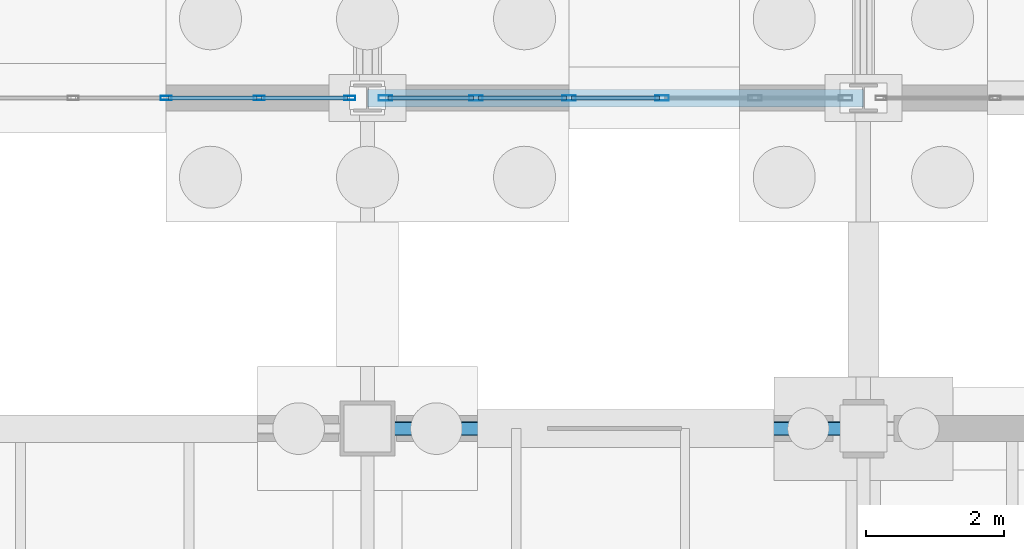
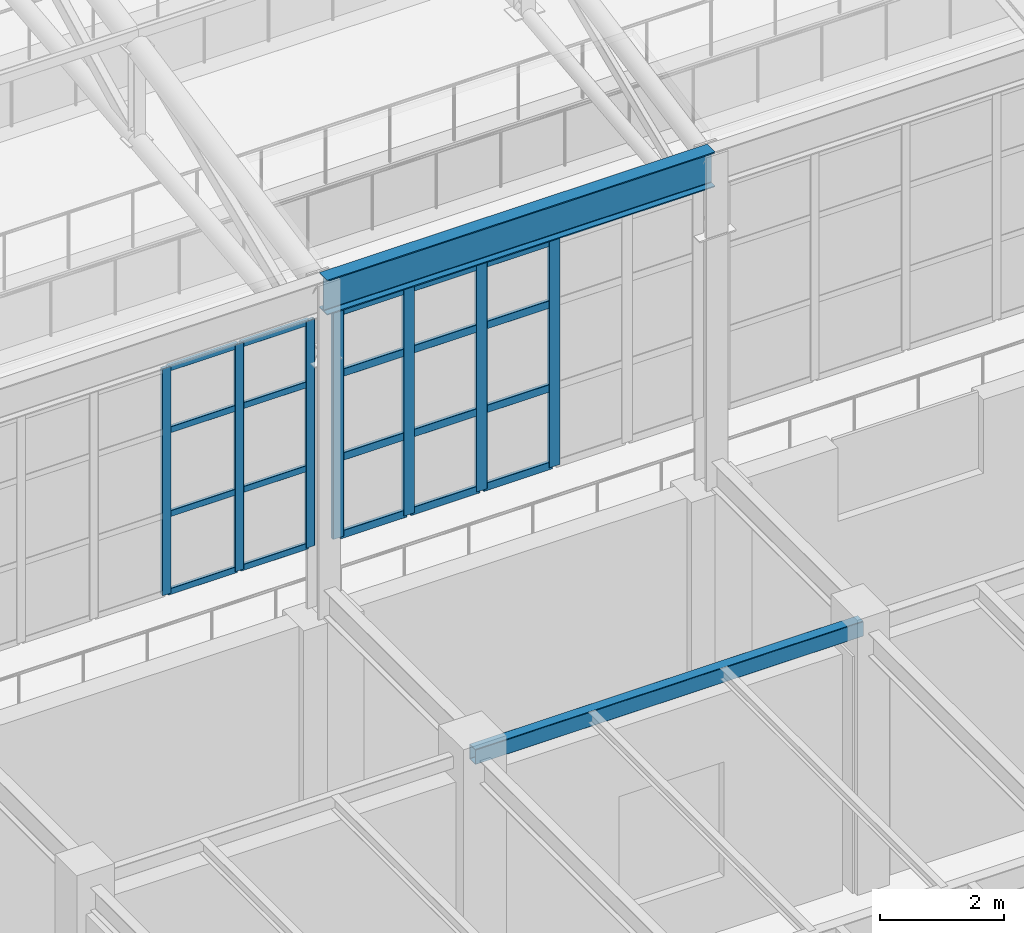
# One storey, part 137 of 293: 27 members, 2 beams, 2 elements without a shape of their own.
"""IFC4 building model written with IfcOpenShell, lengths in metres."""

from ifc_helpers import new_model, si_unit, direction, frame, origin, origin_2d, place, context, subcontext, project, spatial, hollow_rectangle, i_section, extrude, material, layer, layer_set, material_profile, profile_set, type_object, element, aggregate, save


model = new_model("IFC4")

# Units and contexts
model_context = context("Model", 3, precision=1e-05, world=origin(), true_north=direction((0.0, 1.0)))
body_context = subcontext(model_context, "Body", "Model", "MODEL_VIEW")
ifc_project = project(units=[si_unit("LENGTHUNIT", "METRE"), si_unit("AREAUNIT", "SQUARE_METRE"), si_unit("VOLUMEUNIT", "CUBIC_METRE"), si_unit("PLANEANGLEUNIT", "RADIAN"), si_unit("MASSUNIT", "GRAM", prefix="KILO")], contexts=[model_context])

# Site, building, storey
site_placement = place(None, origin())
site = spatial("IfcSite", under=ifc_project, at=site_placement, CompositionType="ELEMENT")
building_placement = place(site_placement, origin())
building = spatial("IfcBuilding", under=site, at=building_placement, Name="Kemerveld Promenade Tramway Depot", CompositionType="ELEMENT")
storey_placement = place(building_placement, origin())
storey = spatial("IfcBuildingStorey", under=building, at=storey_placement, Name="L00", CompositionType="ELEMENT", Elevation=0.0)

# Beams
ifc_material_1 = material(Name="Steel S355", Category="steel")
ifc_material_profile_1 = material_profile(ifc_material_1, i_section(OverallWidth=0.25439453125, OverallDepth=0.6875, WebThickness=0.01318359375, FlangeThickness=0.02099609375, FilletRadius=0.01513671875, at=origin_2d()), Name="686x254x152 UB")
ifc_profile_set_1 = profile_set([ifc_material_profile_1], Name="Steel S355")
beam_type_1 = type_object("IfcBeamType", Name="BM-G03", PredefinedType="BEAM", material=ifc_profile_set_1)
beam_1_placement = place(storey_placement, frame((122.39990234375, 84.0, 11.056396484375), z_axis=(1.0, 0.0, 0.0), x_axis=(0.0, 1.0, 0.0)))
element("IfcBeam", 1, at=beam_1_placement, inside=storey, type_object=beam_type_1, Name="BM-SHED-EAVE-N-18", PredefinedType="BEAM", context=body_context, shape_type="SweptSolid", body=[
    extrude(i_section(OverallWidth=0.25439453125, OverallDepth=0.6875, WebThickness=0.01318359375, FlangeThickness=0.02099609375, FilletRadius=0.01513671875, at=origin_2d()), origin(), (0.0, 0.0, 1.0), 7.2001953125),
])
ifc_material_profile_2 = material_profile(ifc_material_1, hollow_rectangle(XDim=0.199951171875, YDim=0.300048828125, WallThickness=0.012451171875, InnerFilletRadius=0.00634765625, OuterFilletRadius=0.018798828125, at=origin_2d()), Name="300x200x12.5 RHS")
ifc_profile_set_2 = profile_set([ifc_material_profile_2], Name="Steel S355")
beam_type_2 = type_object("IfcBeamType", Name="BM-G18", PredefinedType="BEAM", material=ifc_profile_set_2)
beam_2_placement = place(storey_placement, frame((122.39990234375, 79.199951171875, 4.929931640625), z_axis=(1.0, 0.0, 0.0), x_axis=(0.0, 1.0, 0.0)))
element("IfcBeam", 2, at=beam_2_placement, inside=storey, type_object=beam_type_2, Name="BMX-L00-18-19-M", PredefinedType="BEAM", context=body_context, shape_type="SweptSolid", body=[
    extrude(hollow_rectangle(XDim=0.199951171875, YDim=0.300048828125, WallThickness=0.012451171875, InnerFilletRadius=0.00634765625, OuterFilletRadius=0.018798828125, at=origin_2d()), origin(), (0.0, 0.0, 1.0), 7.2001953125),
])

# Curtain wall, members
ifc_material_2 = material(Name="Bronze anodised aluminium and solar glass", Category="aluminium")
ifc_layer_1 = layer(ifc_material_2, 0.159912109375)
ifc_layer_set_1 = layer_set([ifc_layer_1], Name="CW-SYS-01")
curtain_wall_type_1 = type_object("IfcCurtainWallType", Name="CW-SYS-01", PredefinedType="USERDEFINED", material=ifc_layer_set_1)
curtain_wall_1_placement = place(storey_placement, origin())
curtain_wall_1 = element("IfcCurtainWall", 3, at=curtain_wall_1_placement, inside=storey, type_object=curtain_wall_type_1, Name="CW-V1-S-12", ObjectType="GLAZED_CURTAIN_WALL", PredefinedType="USERDEFINED")
ifc_material_3 = material(Name="Bronze anodised aluminium", Category="aluminium")
ifc_material_profile_3 = material_profile(ifc_material_3, hollow_rectangle(XDim=0.06494140625, YDim=0.159912109375, WallThickness=0.00390625, InnerFilletRadius=0.001953125, OuterFilletRadius=0.00390625, at=origin_2d()), Name="CW-MUL-160x65")
ifc_profile_set_3 = profile_set([ifc_material_profile_3], Name="Bronze anodised aluminium")
member_type_1 = type_object("IfcMemberType", Name="CW-MUL-A", PredefinedType="MULLION", material=ifc_profile_set_3)
member_1_placement = place(storey_placement, frame((122.144287109375, 84.0, 6.199951171875), z_axis=(0.0, 0.0, 1.0), x_axis=(0.0, -1.0, 0.0)))
member_1 = element("IfcMember", 4, at=member_1_placement, type_object=member_type_1, Name="CW01 mullion 1", PredefinedType="MULLION", context=body_context, shape_type="SweptSolid", body=[
    extrude(hollow_rectangle(XDim=0.06494140625, YDim=0.159912109375, WallThickness=0.00390625, InnerFilletRadius=0.001953125, OuterFilletRadius=0.00390625, at=origin_2d()), origin(), (0.0, 0.0, 1.0), 4.449951171875),
])
member_2_placement = place(storey_placement, frame((120.826171875, 84.0, 6.199951171875), z_axis=(0.0, 0.0, 1.0), x_axis=(0.0, -1.0, 0.0)))
member_2 = element("IfcMember", 5, at=member_2_placement, type_object=member_type_1, Name="CW01 mullion 2", PredefinedType="MULLION", context=body_context, shape_type="SweptSolid", body=[
    extrude(hollow_rectangle(XDim=0.06494140625, YDim=0.159912109375, WallThickness=0.00390625, InnerFilletRadius=0.001953125, OuterFilletRadius=0.00390625, at=origin_2d()), origin(), (0.0, 0.0, 1.0), 4.449951171875),
])
member_3_placement = place(storey_placement, frame((119.475341796875, 84.0, 6.199951171875), z_axis=(0.0, 0.0, 1.0), x_axis=(0.0, -1.0, 0.0)))
member_3 = element("IfcMember", 6, at=member_3_placement, type_object=member_type_1, Name="CW01 mullion 3", PredefinedType="MULLION", context=body_context, shape_type="SweptSolid", body=[
    extrude(hollow_rectangle(XDim=0.06494140625, YDim=0.159912109375, WallThickness=0.00390625, InnerFilletRadius=0.001953125, OuterFilletRadius=0.00390625, at=origin_2d()), origin(), (0.0, 0.0, 1.0), 4.449951171875),
])

ifc_layer_2 = layer(ifc_material_2, 0.199951171875)
ifc_layer_set_2 = layer_set([ifc_layer_2], Name="CW-SYS-02")
curtain_wall_type_2 = type_object("IfcCurtainWallType", Name="CW-SYS-02", PredefinedType="USERDEFINED", material=ifc_layer_set_2)
curtain_wall_2_placement = place(storey_placement, origin())
curtain_wall_2 = element("IfcCurtainWall", 7, at=curtain_wall_2_placement, inside=storey, type_object=curtain_wall_type_2, Name="CW-V1-S-13", ObjectType="GLAZED_CURTAIN_WALL", PredefinedType="USERDEFINED")
ifc_material_profile_4 = material_profile(ifc_material_3, hollow_rectangle(XDim=0.074951171875, YDim=0.199951171875, WallThickness=0.0048828125, InnerFilletRadius=0.001953125, OuterFilletRadius=0.0048828125, at=origin_2d()), Name="CW-MUL-200x75")
ifc_profile_set_4 = profile_set([ifc_material_profile_4], Name="Bronze anodised aluminium")
member_type_2 = type_object("IfcMemberType", Name="CW-MUL-B", PredefinedType="MULLION", material=ifc_profile_set_4)
member_4_placement = place(storey_placement, frame((126.67529296875, 84.0, 6.199951171875), z_axis=(0.0, 0.0, 1.0), x_axis=(0.0, -1.0, 0.0)))
member_4 = element("IfcMember", 8, at=member_4_placement, type_object=member_type_2, Name="CW02 mullion 3", PredefinedType="MULLION", context=body_context, shape_type="SweptSolid", body=[
    extrude(hollow_rectangle(XDim=0.074951171875, YDim=0.199951171875, WallThickness=0.0048828125, InnerFilletRadius=0.001953125, OuterFilletRadius=0.0048828125, at=origin_2d()), origin(), (0.0, 0.0, 1.0), 4.449951171875),
])
member_5_placement = place(storey_placement, frame((125.32470703125, 84.0, 6.199951171875), z_axis=(0.0, 0.0, 1.0), x_axis=(0.0, -1.0, 0.0)))
member_5 = element("IfcMember", 9, at=member_5_placement, type_object=member_type_2, Name="CW02 mullion 4", PredefinedType="MULLION", context=body_context, shape_type="SweptSolid", body=[
    extrude(hollow_rectangle(XDim=0.074951171875, YDim=0.199951171875, WallThickness=0.0048828125, InnerFilletRadius=0.001953125, OuterFilletRadius=0.0048828125, at=origin_2d()), origin(), (0.0, 0.0, 1.0), 4.449951171875),
])
member_6_placement = place(storey_placement, frame((123.973876953125, 84.0, 6.199951171875), z_axis=(0.0, 0.0, 1.0), x_axis=(0.0, -1.0, 0.0)))
member_6 = element("IfcMember", 10, at=member_6_placement, type_object=member_type_2, Name="CW02 mullion 5", PredefinedType="MULLION", context=body_context, shape_type="SweptSolid", body=[
    extrude(hollow_rectangle(XDim=0.074951171875, YDim=0.199951171875, WallThickness=0.0048828125, InnerFilletRadius=0.001953125, OuterFilletRadius=0.0048828125, at=origin_2d()), origin(), (0.0, 0.0, 1.0), 4.449951171875),
])
member_7_placement = place(storey_placement, frame((122.66064453125, 84.0, 6.199951171875), z_axis=(0.0, 0.0, 1.0), x_axis=(0.0, -1.0, 0.0)))
member_7 = element("IfcMember", 11, at=member_7_placement, type_object=member_type_2, Name="CW02 mullion 6", PredefinedType="MULLION", context=body_context, shape_type="SweptSolid", body=[
    extrude(hollow_rectangle(XDim=0.074951171875, YDim=0.199951171875, WallThickness=0.0048828125, InnerFilletRadius=0.001953125, OuterFilletRadius=0.0048828125, at=origin_2d()), origin(), (0.0, 0.0, 1.0), 4.449951171875),
])

# Member
ifc_material_profile_5 = material_profile(ifc_material_3, hollow_rectangle(XDim=0.06005859375, YDim=0.1201171875, WallThickness=0.00390625, InnerFilletRadius=0.001953125, OuterFilletRadius=0.00390625, at=origin_2d()), Name="CW-TRN-120x60")
ifc_profile_set_5 = profile_set([ifc_material_profile_5], Name="Bronze anodised aluminium")
member_type_3 = type_object("IfcMemberType", Name="CW-TRN-A", PredefinedType="USERDEFINED", material=ifc_profile_set_5)
member_8_placement = place(storey_placement, frame((122.11181640625, 84.0, 6.22998046875), z_axis=(-1.0, 0.0, 0.0), x_axis=(0.0, -1.0, 0.0)))
member_8 = element("IfcMember", 12, at=member_8_placement, type_object=member_type_3, Name="CW01 transom 1.1", ObjectType="TRANSOM", PredefinedType="USERDEFINED", context=body_context, shape_type="SweptSolid", body=[
    extrude(hollow_rectangle(XDim=0.06005859375, YDim=0.1201171875, WallThickness=0.00390625, InnerFilletRadius=0.001953125, OuterFilletRadius=0.00390625, at=origin_2d()), origin(), (0.0, 0.0, 1.0), 1.253173828125),
])

member_9_placement = place(storey_placement, frame((122.11181640625, 84.0, 7.758056640625), z_axis=(-1.0, 0.0, 0.0), x_axis=(0.0, -1.0, 0.0)))
member_9 = element("IfcMember", 13, at=member_9_placement, type_object=member_type_3, Name="CW01 transom 1.2", ObjectType="TRANSOM", PredefinedType="USERDEFINED", context=body_context, shape_type="SweptSolid", body=[
    extrude(hollow_rectangle(XDim=0.06005859375, YDim=0.1201171875, WallThickness=0.00390625, InnerFilletRadius=0.001953125, OuterFilletRadius=0.00390625, at=origin_2d()), origin(), (0.0, 0.0, 1.0), 1.253173828125),
])

member_10_placement = place(storey_placement, frame((122.11181640625, 84.0, 9.404052734375), z_axis=(-1.0, 0.0, 0.0), x_axis=(0.0, -1.0, 0.0)))
member_10 = element("IfcMember", 14, at=member_10_placement, type_object=member_type_3, Name="CW01 transom 1.3", ObjectType="TRANSOM", PredefinedType="USERDEFINED", context=body_context, shape_type="SweptSolid", body=[
    extrude(hollow_rectangle(XDim=0.06005859375, YDim=0.1201171875, WallThickness=0.00390625, InnerFilletRadius=0.001953125, OuterFilletRadius=0.00390625, at=origin_2d()), origin(), (0.0, 0.0, 1.0), 1.253173828125),
])

member_11_placement = place(storey_placement, frame((122.11181640625, 84.0, 10.6201171875), z_axis=(-1.0, 0.0, 0.0), x_axis=(0.0, -1.0, 0.0)))
member_11 = element("IfcMember", 15, at=member_11_placement, type_object=member_type_3, Name="CW01 transom 1.4", ObjectType="TRANSOM", PredefinedType="USERDEFINED", context=body_context, shape_type="SweptSolid", body=[
    extrude(hollow_rectangle(XDim=0.06005859375, YDim=0.1201171875, WallThickness=0.00390625, InnerFilletRadius=0.001953125, OuterFilletRadius=0.00390625, at=origin_2d()), origin(), (0.0, 0.0, 1.0), 1.253173828125),
])

member_12_placement = place(storey_placement, frame((120.793701171875, 84.0, 6.22998046875), z_axis=(-1.0, 0.0, 0.0), x_axis=(0.0, -1.0, 0.0)))
member_12 = element("IfcMember", 16, at=member_12_placement, type_object=member_type_3, Name="CW01 transom 2.1", ObjectType="TRANSOM", PredefinedType="USERDEFINED", context=body_context, shape_type="SweptSolid", body=[
    extrude(hollow_rectangle(XDim=0.06005859375, YDim=0.1201171875, WallThickness=0.00390625, InnerFilletRadius=0.001953125, OuterFilletRadius=0.00390625, at=origin_2d()), origin(), (0.0, 0.0, 1.0), 1.285888671875),
])

member_13_placement = place(storey_placement, frame((120.793701171875, 84.0, 7.758056640625), z_axis=(-1.0, 0.0, 0.0), x_axis=(0.0, -1.0, 0.0)))
member_13 = element("IfcMember", 17, at=member_13_placement, type_object=member_type_3, Name="CW01 transom 2.2", ObjectType="TRANSOM", PredefinedType="USERDEFINED", context=body_context, shape_type="SweptSolid", body=[
    extrude(hollow_rectangle(XDim=0.06005859375, YDim=0.1201171875, WallThickness=0.00390625, InnerFilletRadius=0.001953125, OuterFilletRadius=0.00390625, at=origin_2d()), origin(), (0.0, 0.0, 1.0), 1.285888671875),
])

member_14_placement = place(storey_placement, frame((120.793701171875, 84.0, 9.404052734375), z_axis=(-1.0, 0.0, 0.0), x_axis=(0.0, -1.0, 0.0)))
member_14 = element("IfcMember", 18, at=member_14_placement, type_object=member_type_3, Name="CW01 transom 2.3", ObjectType="TRANSOM", PredefinedType="USERDEFINED", context=body_context, shape_type="SweptSolid", body=[
    extrude(hollow_rectangle(XDim=0.06005859375, YDim=0.1201171875, WallThickness=0.00390625, InnerFilletRadius=0.001953125, OuterFilletRadius=0.00390625, at=origin_2d()), origin(), (0.0, 0.0, 1.0), 1.285888671875),
])

member_15_placement = place(storey_placement, frame((120.793701171875, 84.0, 10.6201171875), z_axis=(-1.0, 0.0, 0.0), x_axis=(0.0, -1.0, 0.0)))
member_15 = element("IfcMember", 19, at=member_15_placement, type_object=member_type_3, Name="CW01 transom 2.4", ObjectType="TRANSOM", PredefinedType="USERDEFINED", context=body_context, shape_type="SweptSolid", body=[
    extrude(hollow_rectangle(XDim=0.06005859375, YDim=0.1201171875, WallThickness=0.00390625, InnerFilletRadius=0.001953125, OuterFilletRadius=0.00390625, at=origin_2d()), origin(), (0.0, 0.0, 1.0), 1.285888671875),
])

aggregate(curtain_wall_1, [member_1, member_2, member_3, member_8, member_9, member_10, member_11, member_12, member_13, member_14, member_15])

ifc_material_profile_6 = material_profile(ifc_material_3, hollow_rectangle(XDim=0.06494140625, YDim=0.14990234375, WallThickness=0.00439453125, InnerFilletRadius=0.001953125, OuterFilletRadius=0.00439453125, at=origin_2d()), Name="CW-TRN-150x65")
ifc_profile_set_6 = profile_set([ifc_material_profile_6], Name="Bronze anodised aluminium")
member_type_4 = type_object("IfcMemberType", Name="CW-TRN-B", PredefinedType="USERDEFINED", material=ifc_profile_set_6)
member_16_placement = place(storey_placement, frame((126.637939453125, 84.0, 6.232421875), z_axis=(-1.0, 0.0, 0.0), x_axis=(0.0, -1.0, 0.0)))
member_16 = element("IfcMember", 20, at=member_16_placement, type_object=member_type_4, Name="CW02 transom 3.1", ObjectType="TRANSOM", PredefinedType="USERDEFINED", context=body_context, shape_type="SweptSolid", body=[
    extrude(hollow_rectangle(XDim=0.06494140625, YDim=0.14990234375, WallThickness=0.00439453125, InnerFilletRadius=0.001953125, OuterFilletRadius=0.00439453125, at=origin_2d()), origin(), (0.0, 0.0, 1.0), 1.27587890625),
])

member_17_placement = place(storey_placement, frame((126.637939453125, 84.0, 7.758056640625), z_axis=(-1.0, 0.0, 0.0), x_axis=(0.0, -1.0, 0.0)))
member_17 = element("IfcMember", 21, at=member_17_placement, type_object=member_type_4, Name="CW02 transom 3.2", ObjectType="TRANSOM", PredefinedType="USERDEFINED", context=body_context, shape_type="SweptSolid", body=[
    extrude(hollow_rectangle(XDim=0.06494140625, YDim=0.14990234375, WallThickness=0.00439453125, InnerFilletRadius=0.001953125, OuterFilletRadius=0.00439453125, at=origin_2d()), origin(), (0.0, 0.0, 1.0), 1.27587890625),
])

member_18_placement = place(storey_placement, frame((126.637939453125, 84.0, 9.404052734375), z_axis=(-1.0, 0.0, 0.0), x_axis=(0.0, -1.0, 0.0)))
member_18 = element("IfcMember", 22, at=member_18_placement, type_object=member_type_4, Name="CW02 transom 3.3", ObjectType="TRANSOM", PredefinedType="USERDEFINED", context=body_context, shape_type="SweptSolid", body=[
    extrude(hollow_rectangle(XDim=0.06494140625, YDim=0.14990234375, WallThickness=0.00439453125, InnerFilletRadius=0.001953125, OuterFilletRadius=0.00439453125, at=origin_2d()), origin(), (0.0, 0.0, 1.0), 1.27587890625),
])

member_19_placement = place(storey_placement, frame((126.637939453125, 84.0, 10.617431640625), z_axis=(-1.0, 0.0, 0.0), x_axis=(0.0, -1.0, 0.0)))
member_19 = element("IfcMember", 23, at=member_19_placement, type_object=member_type_4, Name="CW02 transom 3.4", ObjectType="TRANSOM", PredefinedType="USERDEFINED", context=body_context, shape_type="SweptSolid", body=[
    extrude(hollow_rectangle(XDim=0.06494140625, YDim=0.14990234375, WallThickness=0.00439453125, InnerFilletRadius=0.001953125, OuterFilletRadius=0.00439453125, at=origin_2d()), origin(), (0.0, 0.0, 1.0), 1.27587890625),
])

member_20_placement = place(storey_placement, frame((125.287109375, 84.0, 6.232421875), z_axis=(-1.0, 0.0, 0.0), x_axis=(0.0, -1.0, 0.0)))
member_20 = element("IfcMember", 24, at=member_20_placement, type_object=member_type_4, Name="CW02 transom 4.1", ObjectType="TRANSOM", PredefinedType="USERDEFINED", context=body_context, shape_type="SweptSolid", body=[
    extrude(hollow_rectangle(XDim=0.06494140625, YDim=0.14990234375, WallThickness=0.00439453125, InnerFilletRadius=0.001953125, OuterFilletRadius=0.00439453125, at=origin_2d()), origin(), (0.0, 0.0, 1.0), 1.275634765625),
])

member_21_placement = place(storey_placement, frame((125.287109375, 84.0, 7.758056640625), z_axis=(-1.0, 0.0, 0.0), x_axis=(0.0, -1.0, 0.0)))
member_21 = element("IfcMember", 25, at=member_21_placement, type_object=member_type_4, Name="CW02 transom 4.2", ObjectType="TRANSOM", PredefinedType="USERDEFINED", context=body_context, shape_type="SweptSolid", body=[
    extrude(hollow_rectangle(XDim=0.06494140625, YDim=0.14990234375, WallThickness=0.00439453125, InnerFilletRadius=0.001953125, OuterFilletRadius=0.00439453125, at=origin_2d()), origin(), (0.0, 0.0, 1.0), 1.275634765625),
])

member_22_placement = place(storey_placement, frame((125.287109375, 84.0, 9.404052734375), z_axis=(-1.0, 0.0, 0.0), x_axis=(0.0, -1.0, 0.0)))
member_22 = element("IfcMember", 26, at=member_22_placement, type_object=member_type_4, Name="CW02 transom 4.3", ObjectType="TRANSOM", PredefinedType="USERDEFINED", context=body_context, shape_type="SweptSolid", body=[
    extrude(hollow_rectangle(XDim=0.06494140625, YDim=0.14990234375, WallThickness=0.00439453125, InnerFilletRadius=0.001953125, OuterFilletRadius=0.00439453125, at=origin_2d()), origin(), (0.0, 0.0, 1.0), 1.275634765625),
])

member_23_placement = place(storey_placement, frame((125.287109375, 84.0, 10.617431640625), z_axis=(-1.0, 0.0, 0.0), x_axis=(0.0, -1.0, 0.0)))
member_23 = element("IfcMember", 27, at=member_23_placement, type_object=member_type_4, Name="CW02 transom 4.4", ObjectType="TRANSOM", PredefinedType="USERDEFINED", context=body_context, shape_type="SweptSolid", body=[
    extrude(hollow_rectangle(XDim=0.06494140625, YDim=0.14990234375, WallThickness=0.00439453125, InnerFilletRadius=0.001953125, OuterFilletRadius=0.00439453125, at=origin_2d()), origin(), (0.0, 0.0, 1.0), 1.275634765625),
])

member_24_placement = place(storey_placement, frame((123.9365234375, 84.0, 6.232421875), z_axis=(-1.0, 0.0, 0.0), x_axis=(0.0, -1.0, 0.0)))
member_24 = element("IfcMember", 28, at=member_24_placement, type_object=member_type_4, Name="CW02 transom 5.1", ObjectType="TRANSOM", PredefinedType="USERDEFINED", context=body_context, shape_type="SweptSolid", body=[
    extrude(hollow_rectangle(XDim=0.06494140625, YDim=0.14990234375, WallThickness=0.00439453125, InnerFilletRadius=0.001953125, OuterFilletRadius=0.00439453125, at=origin_2d()), origin(), (0.0, 0.0, 1.0), 1.23828125),
])

member_25_placement = place(storey_placement, frame((123.9365234375, 84.0, 7.758056640625), z_axis=(-1.0, 0.0, 0.0), x_axis=(0.0, -1.0, 0.0)))
member_25 = element("IfcMember", 29, at=member_25_placement, type_object=member_type_4, Name="CW02 transom 5.2", ObjectType="TRANSOM", PredefinedType="USERDEFINED", context=body_context, shape_type="SweptSolid", body=[
    extrude(hollow_rectangle(XDim=0.06494140625, YDim=0.14990234375, WallThickness=0.00439453125, InnerFilletRadius=0.001953125, OuterFilletRadius=0.00439453125, at=origin_2d()), origin(), (0.0, 0.0, 1.0), 1.23828125),
])

member_26_placement = place(storey_placement, frame((123.9365234375, 84.0, 9.404052734375), z_axis=(-1.0, 0.0, 0.0), x_axis=(0.0, -1.0, 0.0)))
member_26 = element("IfcMember", 30, at=member_26_placement, type_object=member_type_4, Name="CW02 transom 5.3", ObjectType="TRANSOM", PredefinedType="USERDEFINED", context=body_context, shape_type="SweptSolid", body=[
    extrude(hollow_rectangle(XDim=0.06494140625, YDim=0.14990234375, WallThickness=0.00439453125, InnerFilletRadius=0.001953125, OuterFilletRadius=0.00439453125, at=origin_2d()), origin(), (0.0, 0.0, 1.0), 1.23828125),
])

member_27_placement = place(storey_placement, frame((123.9365234375, 84.0, 10.617431640625), z_axis=(-1.0, 0.0, 0.0), x_axis=(0.0, -1.0, 0.0)))
member_27 = element("IfcMember", 31, at=member_27_placement, type_object=member_type_4, Name="CW02 transom 5.4", ObjectType="TRANSOM", PredefinedType="USERDEFINED", context=body_context, shape_type="SweptSolid", body=[
    extrude(hollow_rectangle(XDim=0.06494140625, YDim=0.14990234375, WallThickness=0.00439453125, InnerFilletRadius=0.001953125, OuterFilletRadius=0.00439453125, at=origin_2d()), origin(), (0.0, 0.0, 1.0), 1.23828125),
])

aggregate(curtain_wall_2, [member_4, member_5, member_6, member_7, member_16, member_17, member_18, member_19, member_20, member_21, member_22, member_23, member_24, member_25, member_26, member_27])

save(model, "model.ifc")
